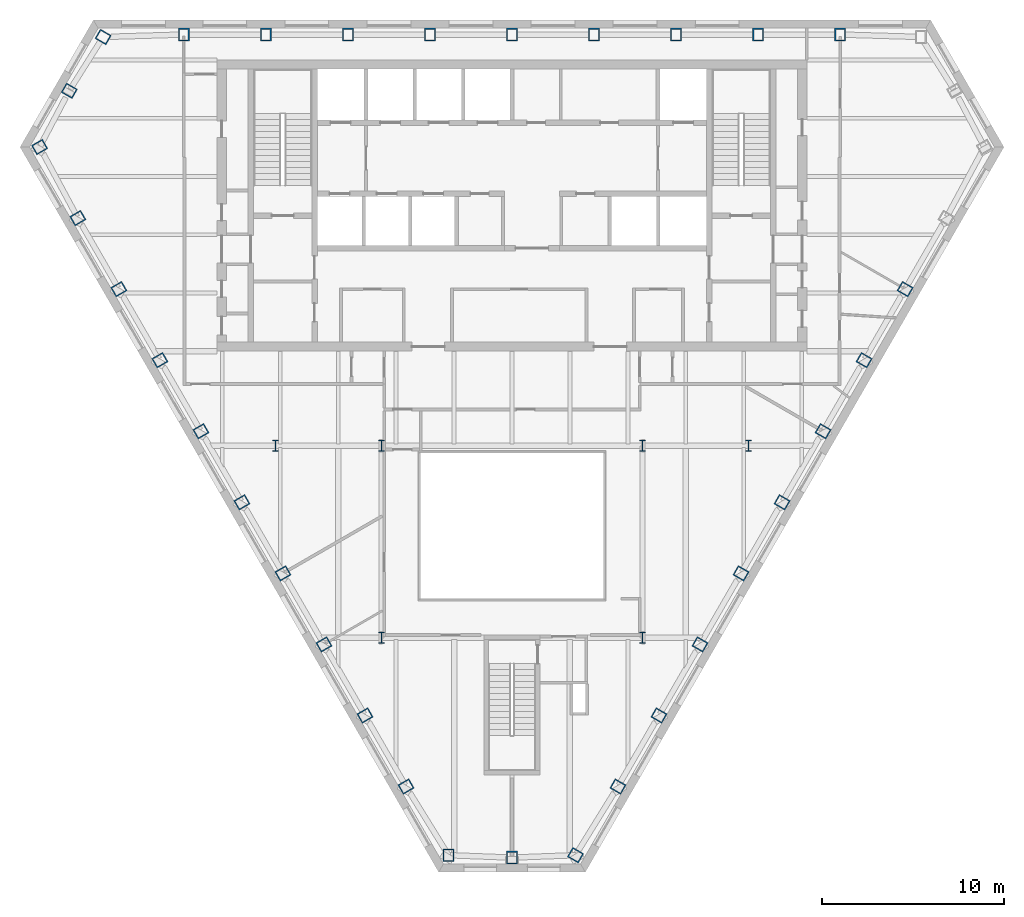
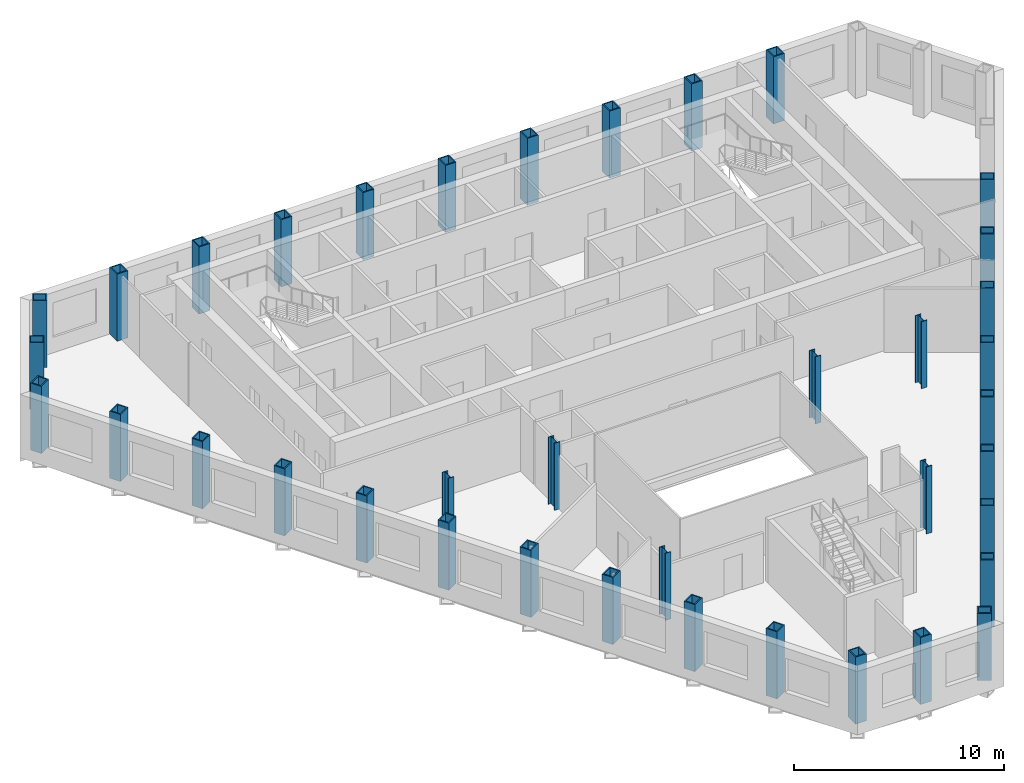
# One storey, part 1 of 11: 38 columns.
"""IFC4 building model written with IfcOpenShell, lengths in metres."""

from ifc_helpers import new_model, si_unit, direction, frame, origin, origin_2d, place, context, subcontext, project, spatial, hollow_rectangle, i_section, extrude, material, material_profile, profile_set, type_object, element, save


model = new_model("IFC4")

# Units and contexts
model_context = context("Model", 3, precision=1e-05, world=origin(), true_north=direction((0.0, 1.0)))
body_context = subcontext(model_context, "Body", "Model", "MODEL_VIEW")
ifc_project = project(units=[si_unit("LENGTHUNIT", "METRE"), si_unit("AREAUNIT", "SQUARE_METRE"), si_unit("VOLUMEUNIT", "CUBIC_METRE"), si_unit("PLANEANGLEUNIT", "RADIAN"), si_unit("MASSUNIT", "GRAM", prefix="KILO")], contexts=[model_context])

# Site, building, storey
site_placement = place(None, origin())
site = spatial("IfcSite", under=ifc_project, at=site_placement, CompositionType="ELEMENT")
building_placement = place(site_placement, origin())
building = spatial("IfcBuilding", under=site, at=building_placement, Name="Njiva Tower", CompositionType="ELEMENT")
storey_placement = place(building_placement, frame((0.0, 0.0, 174.9)))
storey = spatial("IfcBuildingStorey", under=building, at=storey_placement, Name="L38", CompositionType="ELEMENT", Elevation=174.9)

# Columns
ifc_material = material(Name="Steel S355 J2", Category="steel")
ifc_material_profile_1 = material_profile(ifc_material, i_section(OverallWidth=0.305, OverallDepth=0.62, WebThickness=0.021, FlangeThickness=0.04, at=origin_2d()), Name="HEM 600")
ifc_profile_set_1 = profile_set([ifc_material_profile_1], Name="Steel S355 J2")
column_type_1 = type_object("IfcColumnType", Name="C10 Interior column HEM 600", PredefinedType="COLUMN", material=ifc_profile_set_1)
for number, where, z_axis, x_axis, name in (
    (1, (7.17, -3.2, 0.0), (0.0, 0.0, 1.0), (1.0, 0.0, 0.0), "Interior column S13-C37"),
    (2, (-7.17, -3.2, 0.0), (0.0, 0.0, 1.0), (1.0, 0.0, 0.0), "Interior column S13-C38"),
    (3, (7.17, -13.75, 0.0), (0.0, 0.0, 1.0), (1.0, 0.0, 0.0), "Interior column S13-C39"),
    (4, (-7.17, -13.75, 0.0), (0.0, 0.0, 1.0), (1.0, 0.0, 0.0), "Interior column S13-C40"),
    (5, (13.0, -3.2, 0.0), (0.0, 0.0, 1.0), (1.0, 0.0, 0.0), "Interior column S13-C41"),
    (6, (-13.0, -3.2, 0.0), (0.0, 0.0, 1.0), (1.0, 0.0, 0.0), "Interior column S13-C42"),
):
    element("IfcColumn", number, at=place(storey_placement, frame(where, z_axis=z_axis, x_axis=x_axis)), inside=storey, type_object=column_type_1, Name=name, PredefinedType="COLUMN", context=body_context, shape_type="SweptSolid", body=[
        extrude(i_section(OverallWidth=0.305, OverallDepth=0.62, WebThickness=0.021, FlangeThickness=0.04, at=origin_2d()), origin(), (0.0, 0.0, 1.0), 3.9),
    ])
ifc_material_profile_2 = material_profile(ifc_material, hollow_rectangle(XDim=0.6, YDim=0.7, WallThickness=0.06, at=origin_2d()), Name="BOX 700x600x60")
ifc_profile_set_2 = profile_set([ifc_material_profile_2], Name="Steel S355 J2")
column_type_2 = type_object("IfcColumnType", Name="C9 Perimeter tube column BOX 700x600x60", PredefinedType="COLUMN", material=ifc_profile_set_2)
for number, where, z_axis, x_axis, name in (
    (7, (18.034, 19.4, 0.0), (0.0, 0.0, 1.0), (-1.0, 0.0, 0.0), "Perimeter tube column S13-C02"),
    (8, (13.526, 19.4, 0.0), (0.0, 0.0, 1.0), (-1.0, 0.0, 0.0), "Perimeter tube column S13-C03"),
    (9, (9.017, 19.4, 0.0), (0.0, 0.0, 1.0), (-1.0, 0.0, 0.0), "Perimeter tube column S13-C04"),
    (10, (4.509, 19.4, 0.0), (0.0, 0.0, 1.0), (-1.0, 0.0, 0.0), "Perimeter tube column S13-C05"),
    (11, (0.0, 19.4, 0.0), (0.0, 0.0, 1.0), (-1.0, 0.0, 0.0), "Perimeter tube column S13-C06"),
    (12, (-4.509, 19.4, 0.0), (0.0, 0.0, 1.0), (-1.0, 0.0, 0.0), "Perimeter tube column S13-C07"),
    (13, (-9.017, 19.4, 0.0), (0.0, 0.0, 1.0), (-1.0, 0.0, 0.0), "Perimeter tube column S13-C08"),
    (14, (-13.526, 19.4, 0.0), (0.0, 0.0, 1.0), (-1.0, 0.0, 0.0), "Perimeter tube column S13-C09"),
    (15, (-18.034, 19.4, 0.0), (0.0, 0.0, 1.0), (-1.0, 0.0, 0.0), "Perimeter tube column S13-C10"),
    (16, (-22.466, 19.267, 0.0), (0.0, 0.0, 1.0), (-0.5, -0.866025403784, 0.0), "Perimeter tube column S13-C11"),
    (17, (-24.327, 16.31, 0.0), (0.0, 0.0, 1.0), (-0.5, -0.866025403784, 0.0), "Perimeter tube column S13-C12"),
    (18, (-25.958, 13.22, 0.0), (0.0, 0.0, 1.0), (0.5, -0.866025403784, 0.0), "Perimeter tube column S13-C13"),
    (19, (-23.857, 9.315, 0.0), (0.0, 0.0, 1.0), (0.5, -0.866025403784, 0.0), "Perimeter tube column S13-C14"),
    (20, (-21.603, 5.411, 0.0), (0.0, 0.0, 1.0), (0.5, -0.866025403784, 0.0), "Perimeter tube column S13-C15"),
    (21, (-19.348, 1.506, 0.0), (0.0, 0.0, 1.0), (0.5, -0.866025403784, 0.0), "Perimeter tube column S13-C16"),
    (22, (-17.094, -2.398, 0.0), (0.0, 0.0, 1.0), (0.5, -0.866025403784, 0.0), "Perimeter tube column S13-C17"),
    (23, (-14.84, -6.303, 0.0), (0.0, 0.0, 1.0), (0.5, -0.866025403784, 0.0), "Perimeter tube column S13-C18"),
    (24, (-12.585, -10.208, 0.0), (0.0, 0.0, 1.0), (0.5, -0.866025403784, 0.0), "Perimeter tube column S13-C19"),
    (25, (-10.331, -14.112, 0.0), (0.0, 0.0, 1.0), (0.5, -0.866025403784, 0.0), "Perimeter tube column S13-C20"),
    (26, (-8.077, -18.017, 0.0), (0.0, 0.0, 1.0), (0.5, -0.866025403784, 0.0), "Perimeter tube column S13-C21"),
    (27, (-5.822, -21.921, 0.0), (0.0, 0.0, 1.0), (0.5, -0.866025403784, 0.0), "Perimeter tube column S13-C22"),
    (28, (-3.491, -25.693, 0.0), (0.0, 0.0, 1.0), (1.0, 0.0, 0.0), "Perimeter tube column S13-C23"),
    (29, (0.0, -25.826, 0.0), (0.0, 0.0, 1.0), (1.0, 0.0, 0.0), "Perimeter tube column S13-C24"),
    (30, (3.491, -25.693, 0.0), (0.0, 0.0, 1.0), (0.5, 0.866025403784, 0.0), "Perimeter tube column S13-C25"),
    (31, (5.822, -21.921, 0.0), (0.0, 0.0, 1.0), (0.5, 0.866025403784, 0.0), "Perimeter tube column S13-C26"),
    (32, (8.077, -18.017, 0.0), (0.0, 0.0, 1.0), (0.5, 0.866025403784, 0.0), "Perimeter tube column S13-C27"),
    (33, (10.331, -14.112, 0.0), (0.0, 0.0, 1.0), (0.5, 0.866025403784, 0.0), "Perimeter tube column S13-C28"),
    (34, (12.585, -10.208, 0.0), (0.0, 0.0, 1.0), (0.5, 0.866025403784, 0.0), "Perimeter tube column S13-C29"),
    (35, (14.84, -6.303, 0.0), (0.0, 0.0, 1.0), (0.5, 0.866025403784, 0.0), "Perimeter tube column S13-C30"),
    (36, (17.094, -2.398, 0.0), (0.0, 0.0, 1.0), (0.5, 0.866025403784, 0.0), "Perimeter tube column S13-C31"),
    (37, (19.348, 1.506, 0.0), (0.0, 0.0, 1.0), (0.5, 0.866025403784, 0.0), "Perimeter tube column S13-C32"),
    (38, (21.603, 5.411, 0.0), (0.0, 0.0, 1.0), (0.5, 0.866025403784, 0.0), "Perimeter tube column S13-C33"),
):
    element("IfcColumn", number, at=place(storey_placement, frame(where, z_axis=z_axis, x_axis=x_axis)), inside=storey, type_object=column_type_2, Name=name, PredefinedType="COLUMN", context=body_context, shape_type="SweptSolid", body=[
        extrude(hollow_rectangle(XDim=0.6, YDim=0.7, WallThickness=0.06, at=origin_2d()), origin(), (0.0, 0.0, 1.0), 3.9),
    ])

save(model, "model.ifc")
